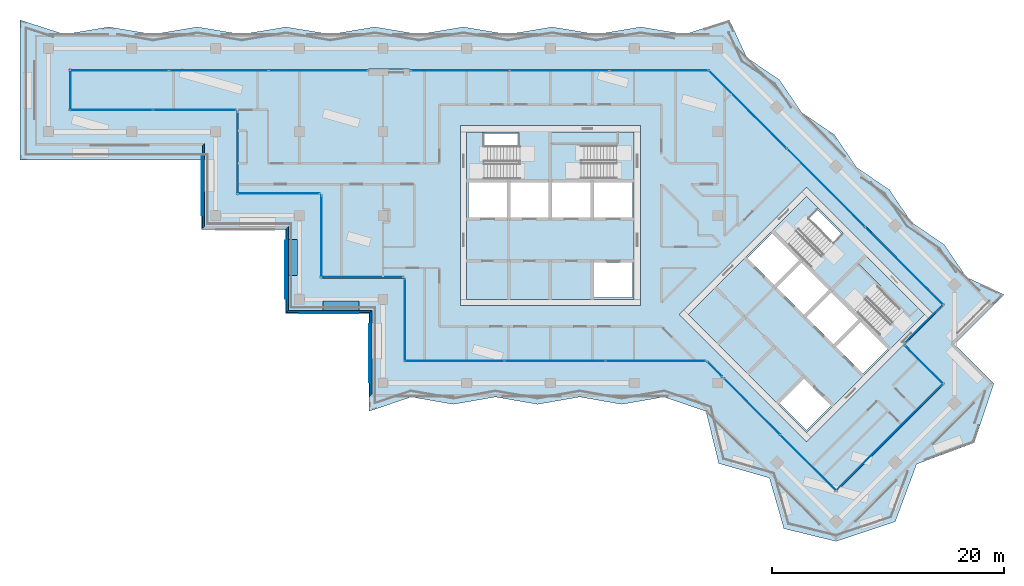
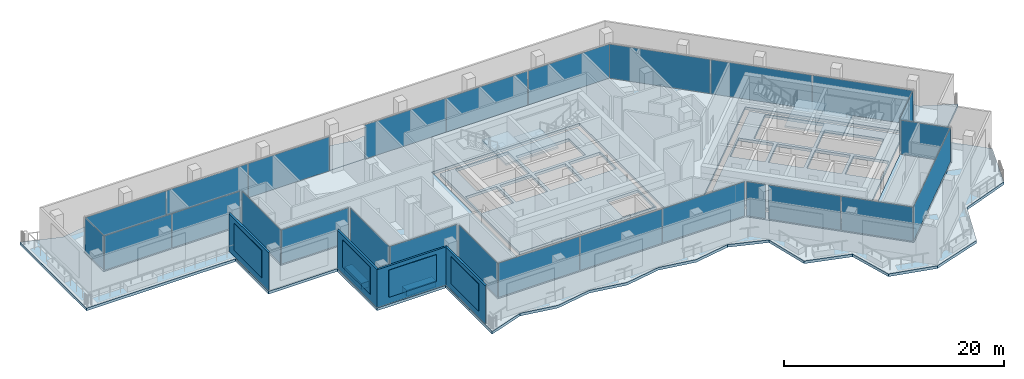
# One storey, part 8 of 19: 30 plates, 8 slabs, 6 walls, 16 openings, 20 elements without a shape of their own.
"""IFC4 building model written with IfcOpenShell, lengths in metres."""

from ifc_helpers import new_model, si_unit, direction, frame, frame_2d, origin, origin_2d, place, context, subcontext, project, spatial, polyline, rectangle, outline, extrude, material, layer, layer_set, type_object, element, aggregate, save


model = new_model("IFC4")

# Units and contexts
model_context = context("Model", 3, precision=1e-05, world=origin(), true_north=direction((0.0, 1.0)))
body_context = subcontext(model_context, "Body", "Model", "MODEL_VIEW")
ifc_project = project(units=[si_unit("LENGTHUNIT", "METRE"), si_unit("AREAUNIT", "SQUARE_METRE"), si_unit("VOLUMEUNIT", "CUBIC_METRE"), si_unit("PLANEANGLEUNIT", "RADIAN"), si_unit("MASSUNIT", "GRAM", prefix="KILO")], contexts=[model_context])

# Plate
ifc_material_1 = material(Name="Aluminium louvre", Category="aluminium")
ifc_layer_1 = layer(ifc_material_1, 0.05)
ifc_layer_set_1 = layer_set([ifc_layer_1], Name="Belt louvre panel 5000x3000")
plate_type_1 = type_object("IfcPlateType", Name="Belt louvre panel 5000x3000", PredefinedType="SHEET", material=ifc_layer_set_1)
site_placement = place(None, origin())
building_placement = place(site_placement, origin())
storey_placement = place(building_placement, frame((0.0, 0.0, 176.2)))
plate_1_placement = place(storey_placement, frame((34.8, 62.65, 0.75), z_axis=(-1.0, 0.0, 0.0), x_axis=(0.0, -1.0, 0.0)))
plate_1 = element("IfcPlate", 1, at=plate_1_placement, type_object=plate_type_1, Name="Belt louvre panel L48 41.1", PredefinedType="SHEET", context=body_context, shape_type="SweptSolid", body=[
    extrude(outline(polyline([(0.0, 0.0), (5.0, 0.0), (5.0, 3.0), (0.0, 3.0), (0.0, 0.0)])), origin(), (0.0, 0.0, -1.0), 0.05),
])

plate_2_placement = place(storey_placement, frame((42.0, 55.45, 0.75), z_axis=(-1.0, 0.0, 0.0), x_axis=(0.0, -1.0, 0.0)))
plate_2 = element("IfcPlate", 2, at=plate_2_placement, type_object=plate_type_1, Name="Belt louvre panel L48 49.1", PredefinedType="SHEET", context=body_context, shape_type="SweptSolid", body=[
    extrude(outline(polyline([(0.0, 0.0), (5.0, 0.0), (5.0, 3.0), (0.0, 3.0), (0.0, 0.0)])), origin(), (0.0, 0.0, -1.0), 0.05),
])

plate_3_placement = place(storey_placement, frame((43.25, 49.2, 0.75), z_axis=(0.0, -1.0, 0.0), x_axis=(1.0, 0.0, 0.0)))
plate_3 = element("IfcPlate", 3, at=plate_3_placement, type_object=plate_type_1, Name="Belt louvre panel L48 53.1", PredefinedType="SHEET", context=body_context, shape_type="SweptSolid", body=[
    extrude(outline(polyline([(0.0, 0.0), (5.0, 0.0), (5.0, 3.0), (0.0, 3.0), (0.0, 0.0)])), origin(), (0.0, 0.0, -1.0), 0.05),
])

plate_4_placement = place(storey_placement, frame((49.2, 48.25, 0.75), z_axis=(-1.0, 0.0, 0.0), x_axis=(0.0, -1.0, 0.0)))
plate_4 = element("IfcPlate", 4, at=plate_4_placement, type_object=plate_type_1, Name="Belt louvre panel L48 57.1", PredefinedType="SHEET", context=body_context, shape_type="SweptSolid", body=[
    extrude(outline(polyline([(0.0, 0.0), (5.0, 0.0), (5.0, 3.0), (0.0, 3.0), (0.0, 0.0)])), origin(), (0.0, 0.0, -1.0), 0.05),
])

# Site, building, storey
site = spatial("IfcSite", under=ifc_project, at=site_placement, CompositionType="ELEMENT")
building = spatial("IfcBuilding", under=site, at=building_placement, Name="Windrow Commons", CompositionType="ELEMENT")
storey = spatial("IfcBuildingStorey", under=building, at=storey_placement, Name="L48", CompositionType="ELEMENT", Elevation=176.2)

# Slab, openings
ifc_material_2 = material(Name="Concrete C50/60", Category="concrete")
ifc_layer_2 = layer(ifc_material_2, 0.3)
ifc_layer_set_2 = layer_set([ifc_layer_2], Name="CORE FLOOR SLAB 300 C50/60")
slab_type_1 = type_object("IfcSlabType", Name="CORE FLOOR SLAB 300 C50/60", PredefinedType="FLOOR", material=ifc_layer_set_2)
placement_1 = place(storey_placement, frame((0.0, 0.0, -0.3)))
slab_1 = element("IfcSlab", 5, at=placement_1, inside=storey, type_object=slab_type_1, Name="S-L48-core-A", PredefinedType="FLOOR", context=body_context, shape_type="SweptSolid", body=[
    extrude(outline(polyline([(57.6, 50.4), (72.0, 50.4), (72.0, 64.8), (57.6, 64.8), (57.6, 50.4)]), holes=[polyline([(68.55, 50.55), (71.85, 50.55), (71.85, 53.55), (68.55, 53.55), (68.55, 50.55)]), polyline([(57.75, 57.45), (61.05, 57.45), (61.05, 60.45), (57.75, 60.45), (57.75, 57.45)]), polyline([(61.35, 57.45), (64.65, 57.45), (64.65, 60.45), (61.35, 60.45), (61.35, 57.45)]), polyline([(64.95, 57.45), (68.25, 57.45), (68.25, 60.45), (64.95, 60.45), (64.95, 57.45)]), polyline([(68.55, 57.45), (71.85, 57.45), (71.85, 60.45), (68.55, 60.45), (68.55, 57.45)]), polyline([(59.1, 60.75), (64.65, 60.75), (64.65, 64.65), (59.1, 64.65), (59.1, 60.75)]), polyline([(64.95, 60.75), (70.5, 60.75), (70.5, 63.705), (64.95, 63.705), (64.95, 60.75)])]), origin(), (0.0, 0.0, 1.0), 0.3),
])
opening_1_placement = place(placement_1, origin())
element("IfcOpeningElement", 6, at=opening_1_placement, cuts=slab_1, Name="Slab opening S-L48-core-A 1", PredefinedType="OPENING", context=body_context, shape_type="SweptSolid", body=[
    extrude(outline(polyline([(68.555, 50.555), (68.555, 53.545), (71.845, 53.545), (71.845, 50.555), (68.555, 50.555)])), origin(), (0.0, 0.0, 1.0), 0.3),
])
opening_2_placement = place(placement_1, origin())
element("IfcOpeningElement", 7, at=opening_2_placement, cuts=slab_1, Name="Slab opening S-L48-core-A 2", PredefinedType="OPENING", context=body_context, shape_type="SweptSolid", body=[
    extrude(outline(polyline([(57.755, 57.455), (57.755, 60.445), (61.045, 60.445), (61.045, 57.455), (57.755, 57.455)])), origin(), (0.0, 0.0, 1.0), 0.3),
])
opening_3_placement = place(placement_1, origin())
element("IfcOpeningElement", 8, at=opening_3_placement, cuts=slab_1, Name="Slab opening S-L48-core-A 3", PredefinedType="OPENING", context=body_context, shape_type="SweptSolid", body=[
    extrude(outline(polyline([(61.355, 57.455), (61.355, 60.445), (64.645, 60.445), (64.645, 57.455), (61.355, 57.455)])), origin(), (0.0, 0.0, 1.0), 0.3),
])
opening_4_placement = place(placement_1, origin())
element("IfcOpeningElement", 9, at=opening_4_placement, cuts=slab_1, Name="Slab opening S-L48-core-A 4", PredefinedType="OPENING", context=body_context, shape_type="SweptSolid", body=[
    extrude(outline(polyline([(64.955, 57.455), (64.955, 60.445), (68.245, 60.445), (68.245, 57.455), (64.955, 57.455)])), origin(), (0.0, 0.0, 1.0), 0.3),
])
opening_5_placement = place(placement_1, origin())
element("IfcOpeningElement", 10, at=opening_5_placement, cuts=slab_1, Name="Slab opening S-L48-core-A 5", PredefinedType="OPENING", context=body_context, shape_type="SweptSolid", body=[
    extrude(outline(polyline([(68.555, 57.455), (68.555, 60.445), (71.845, 60.445), (71.845, 57.455), (68.555, 57.455)])), origin(), (0.0, 0.0, 1.0), 0.3),
])
opening_6_placement = place(placement_1, origin())
element("IfcOpeningElement", 11, at=opening_6_placement, cuts=slab_1, Name="Slab opening S-L48-core-A 6", PredefinedType="OPENING", context=body_context, shape_type="SweptSolid", body=[
    extrude(outline(polyline([(59.105, 60.755), (59.105, 64.645), (64.645, 64.645), (64.645, 60.755), (59.105, 60.755)])), origin(), (0.0, 0.0, 1.0), 0.3),
])
opening_7_placement = place(placement_1, origin())
element("IfcOpeningElement", 12, at=opening_7_placement, cuts=slab_1, Name="Slab opening S-L48-core-A 7", PredefinedType="OPENING", context=body_context, shape_type="SweptSolid", body=[
    extrude(outline(polyline([(64.955, 60.755), (64.955, 63.7), (70.495, 63.7), (70.495, 60.755), (64.955, 60.755)])), origin(), (0.0, 0.0, 1.0), 0.3),
])

slab_2 = element("IfcSlab", 13, at=placement_1, inside=storey, type_object=slab_type_1, Name="S-L48-core-B", PredefinedType="FLOOR", context=body_context, shape_type="SweptSolid", body=[
    extrude(outline(polyline([(76.6544, 49.0897), (86.8368, 38.9074), (97.0191, 49.0897), (86.8368, 59.2721), (76.6544, 49.0897)]), holes=[polyline([(84.5033, 41.453), (86.8368, 39.1195), (88.9581, 41.2409), (86.6246, 43.5743), (84.5033, 41.453)]), polyline([(81.7456, 53.9688), (84.079, 51.6353), (86.2004, 53.7566), (83.8669, 56.0901), (81.7456, 53.9688)]), polyline([(84.2912, 51.4232), (86.6246, 49.0897), (88.7459, 51.2111), (86.4125, 53.5445), (84.2912, 51.4232)]), polyline([(86.8368, 48.8776), (89.1702, 46.5442), (91.2915, 48.6655), (88.9581, 50.9989), (86.8368, 48.8776)]), polyline([(89.3823, 46.332), (91.7158, 43.9986), (93.8371, 46.1199), (91.5037, 48.4533), (89.3823, 46.332)]), polyline([(85.0336, 55.3476), (88.9581, 51.4232), (91.7158, 54.1809), (87.7913, 58.1054), (85.0336, 55.3476)]), polyline([(89.1702, 51.2111), (93.0946, 47.2866), (95.1841, 49.3761), (91.2597, 53.3006), (89.1702, 51.2111)])]), origin(), (0.0, 0.0, 1.0), 0.3),
])
opening_8_placement = place(placement_1, origin())
element("IfcOpeningElement", 14, at=opening_8_placement, cuts=slab_2, Name="Slab opening S-L48-core-B 1", PredefinedType="OPENING", context=body_context, shape_type="SweptSolid", body=[
    extrude(outline(polyline([(84.5104, 41.453), (86.6246, 43.5672), (88.951, 41.2409), (86.8368, 39.1266), (84.5104, 41.453)])), origin(), (0.0, 0.0, 1.0), 0.3),
])
opening_9_placement = place(placement_1, origin())
element("IfcOpeningElement", 15, at=opening_9_placement, cuts=slab_2, Name="Slab opening S-L48-core-B 2", PredefinedType="OPENING", context=body_context, shape_type="SweptSolid", body=[
    extrude(outline(polyline([(81.7527, 53.9688), (83.8669, 56.083), (86.1933, 53.7566), (84.079, 51.6424), (81.7527, 53.9688)])), origin(), (0.0, 0.0, 1.0), 0.3),
])
opening_10_placement = place(placement_1, origin())
element("IfcOpeningElement", 16, at=opening_10_placement, cuts=slab_2, Name="Slab opening S-L48-core-B 3", PredefinedType="OPENING", context=body_context, shape_type="SweptSolid", body=[
    extrude(outline(polyline([(84.2983, 51.4232), (86.4125, 53.5374), (88.7388, 51.2111), (86.6246, 49.0968), (84.2983, 51.4232)])), origin(), (0.0, 0.0, 1.0), 0.3),
])
opening_11_placement = place(placement_1, origin())
element("IfcOpeningElement", 17, at=opening_11_placement, cuts=slab_2, Name="Slab opening S-L48-core-B 4", PredefinedType="OPENING", context=body_context, shape_type="SweptSolid", body=[
    extrude(outline(polyline([(86.8439, 48.8776), (88.9581, 50.9918), (91.2844, 48.6655), (89.1702, 46.5513), (86.8439, 48.8776)])), origin(), (0.0, 0.0, 1.0), 0.3),
])
opening_12_placement = place(placement_1, origin())
element("IfcOpeningElement", 18, at=opening_12_placement, cuts=slab_2, Name="Slab opening S-L48-core-B 5", PredefinedType="OPENING", context=body_context, shape_type="SweptSolid", body=[
    extrude(outline(polyline([(89.3894, 46.332), (91.5037, 48.4462), (93.83, 46.1199), (91.7158, 44.0057), (89.3894, 46.332)])), origin(), (0.0, 0.0, 1.0), 0.3),
])
opening_13_placement = place(placement_1, origin())
element("IfcOpeningElement", 19, at=opening_13_placement, cuts=slab_2, Name="Slab opening S-L48-core-B 6", PredefinedType="OPENING", context=body_context, shape_type="SweptSolid", body=[
    extrude(outline(polyline([(85.0407, 55.3476), (87.7913, 58.0983), (91.7087, 54.1809), (88.9581, 51.4303), (85.0407, 55.3476)])), origin(), (0.0, 0.0, 1.0), 0.3),
])
opening_14_placement = place(placement_1, origin())
element("IfcOpeningElement", 20, at=opening_14_placement, cuts=slab_2, Name="Slab opening S-L48-core-B 7", PredefinedType="OPENING", context=body_context, shape_type="SweptSolid", body=[
    extrude(outline(polyline([(89.1773, 51.2111), (91.2597, 53.2935), (95.177, 49.3761), (93.0946, 47.2937), (89.1773, 51.2111)])), origin(), (0.0, 0.0, 1.0), 0.3),
])

# Curtain wall, plate
ifc_material_3 = material(Name="Clear laminated glass in Aluminium 6063-T6 anodised frame", Category="aluminium")
curtain_wall_type = type_object("IfcCurtainWallType", Name="Curtain wall CW2H sky lounge upper", PredefinedType="USERDEFINED", material=ifc_material_3)
placement_2 = place(storey_placement, origin())
curtain_wall_1 = element("IfcCurtainWall", 21, at=placement_2, inside=storey, type_object=curtain_wall_type, Name="Curtain wall CW2H L48 1", ObjectType="UNITISED", PredefinedType="USERDEFINED")
ifc_material_4 = material(Name="Clear laminated glass", Category="glass")
ifc_layer_3 = layer(ifc_material_4, 0.032)
ifc_layer_set_3 = layer_set([ifc_layer_3], Name="CW2H panel glass 32")
plate_type_2 = type_object("IfcPlateType", Name="CW2H panel glass 32", PredefinedType="CURTAIN_PANEL", material=ifc_layer_set_3)
plate_5_placement = place(storey_placement, frame((96.9483, 44.7764, 0.06), z_axis=(0.0, 0.0, 1.0), x_axis=(-0.7070963646, 0.7071171977, 0.0)))
plate_5 = element("IfcPlate", 22, at=plate_5_placement, type_object=plate_type_2, Name="CW2H panel 1.1", PredefinedType="CURTAIN_PANEL", context=body_context, shape_type="SweptSolid", body=[
    extrude(rectangle(XDim=4.6801, YDim=0.032, at=origin_2d()), origin(), (0.0, 0.0, 1.0), 3.78),
])
aggregate(curtain_wall_1, [plate_5])

curtain_wall_2 = element("IfcCurtainWall", 23, at=placement_2, inside=storey, type_object=curtain_wall_type, Name="Curtain wall CW2H L48 2", ObjectType="UNITISED", PredefinedType="USERDEFINED")
plate_6_placement = place(storey_placement, frame((96.9483, 48.312, 0.06), z_axis=(0.0, 0.0, 1.0), x_axis=(0.7071067812, 0.7071067812, 0.0)))
plate_6 = element("IfcPlate", 24, at=plate_6_placement, type_object=plate_type_2, Name="CW2H panel 1.1", PredefinedType="CURTAIN_PANEL", context=body_context, shape_type="SweptSolid", body=[
    extrude(rectangle(XDim=4.68, YDim=0.032, at=origin_2d()), origin(), (0.0, 0.0, 1.0), 3.78),
])
aggregate(curtain_wall_2, [plate_6])

# Curtain wall, plates
curtain_wall_3 = element("IfcCurtainWall", 25, at=placement_2, inside=storey, type_object=curtain_wall_type, Name="Curtain wall CW2H L48 3", ObjectType="UNITISED", PredefinedType="USERDEFINED")
plate_7_placement = place(storey_placement, frame((95.2578, 53.2551, 0.06), z_axis=(0.0, 0.0, 1.0), x_axis=(-0.7071067812, 0.7071067812, 0.0)))
plate_7 = element("IfcPlate", 26, at=plate_7_placement, type_object=plate_type_2, Name="CW2H panel 1.1", PredefinedType="CURTAIN_PANEL", context=body_context, shape_type="SweptSolid", body=[
    extrude(rectangle(XDim=9.4615, YDim=0.032, at=origin_2d()), origin(), (0.0, 0.0, 1.0), 3.78),
])
plate_8_placement = place(storey_placement, frame((88.5145, 59.9984, 0.06), z_axis=(0.0, 0.0, 1.0), x_axis=(-0.7071067812, 0.7071067812, 0.0)))
plate_8 = element("IfcPlate", 27, at=plate_8_placement, type_object=plate_type_2, Name="CW2H panel 2.1", PredefinedType="CURTAIN_PANEL", context=body_context, shape_type="SweptSolid", body=[
    extrude(rectangle(XDim=9.4915, YDim=0.032, at=origin_2d()), origin(), (0.0, 0.0, 1.0), 3.78),
])
plate_9_placement = place(storey_placement, frame((81.7712, 66.7417, 0.06), z_axis=(0.0, 0.0, 1.0), x_axis=(-0.7071067812, 0.7071067812, 0.0)))
plate_9 = element("IfcPlate", 28, at=plate_9_placement, type_object=plate_type_2, Name="CW2H panel 3.1", PredefinedType="CURTAIN_PANEL", context=body_context, shape_type="SweptSolid", body=[
    extrude(rectangle(XDim=9.4615, YDim=0.032, at=origin_2d()), origin(), (0.0, 0.0, 1.0), 3.78),
])
aggregate(curtain_wall_3, [plate_7, plate_8, plate_9])

curtain_wall_4 = element("IfcCurtainWall", 29, at=placement_2, inside=storey, type_object=curtain_wall_type, Name="Curtain wall CW2H L48 4.1", ObjectType="UNITISED", PredefinedType="USERDEFINED")
plate_10_placement = place(storey_placement, frame((74.1516, 70.1, 0.06), z_axis=(0.0, 0.0, 1.0), x_axis=(-1.0, 0.0, 0.0)))
plate_10 = element("IfcPlate", 30, at=plate_10_placement, type_object=plate_type_2, Name="CW2H panel 1.1", PredefinedType="CURTAIN_PANEL", context=body_context, shape_type="SweptSolid", body=[
    extrude(rectangle(XDim=8.4857, YDim=0.032, at=origin_2d()), origin(), (0.0, 0.0, 1.0), 3.78),
])
plate_11_placement = place(storey_placement, frame((65.5909, 70.1, 0.06), z_axis=(0.0, 0.0, 1.0), x_axis=(-1.0, 0.0, 0.0)))
plate_11 = element("IfcPlate", 31, at=plate_11_placement, type_object=plate_type_2, Name="CW2H panel 2.1", PredefinedType="CURTAIN_PANEL", context=body_context, shape_type="SweptSolid", body=[
    extrude(rectangle(XDim=8.5157, YDim=0.032, at=origin_2d()), origin(), (0.0, 0.0, 1.0), 3.78),
])
plate_12_placement = place(storey_placement, frame((57.0302, 70.1, 0.06), z_axis=(0.0, 0.0, 1.0), x_axis=(-1.0, 0.0, 0.0)))
plate_12 = element("IfcPlate", 32, at=plate_12_placement, type_object=plate_type_2, Name="CW2H panel 3.1", PredefinedType="CURTAIN_PANEL", context=body_context, shape_type="SweptSolid", body=[
    extrude(rectangle(XDim=8.4857, YDim=0.032, at=origin_2d()), origin(), (0.0, 0.0, 1.0), 3.78),
])
aggregate(curtain_wall_4, [plate_10, plate_11, plate_12])

curtain_wall_5 = element("IfcCurtainWall", 33, at=placement_2, inside=storey, type_object=curtain_wall_type, Name="Curtain wall CW2H L48 4.2", ObjectType="UNITISED", PredefinedType="USERDEFINED")
plate_13_placement = place(storey_placement, frame((44.8245, 70.1, 0.06), z_axis=(0.0, 0.0, 1.0), x_axis=(-1.0, 0.0, 0.0)))
plate_13 = element("IfcPlate", 34, at=plate_13_placement, type_object=plate_type_2, Name="CW2H panel 1.1", PredefinedType="CURTAIN_PANEL", context=body_context, shape_type="SweptSolid", body=[
    extrude(rectangle(XDim=8.4858, YDim=0.032, at=origin_2d()), origin(), (0.0, 0.0, 1.0), 3.78),
])
plate_14_placement = place(storey_placement, frame((36.2637, 70.1, 0.06), z_axis=(0.0, 0.0, 1.0), x_axis=(-1.0, 0.0, 0.0)))
plate_14 = element("IfcPlate", 35, at=plate_14_placement, type_object=plate_type_2, Name="CW2H panel 2.1", PredefinedType="CURTAIN_PANEL", context=body_context, shape_type="SweptSolid", body=[
    extrude(rectangle(XDim=8.5158, YDim=0.032, at=origin_2d()), origin(), (0.0, 0.0, 1.0), 3.78),
])
plate_15_placement = place(storey_placement, frame((27.7029, 70.1, 0.06), z_axis=(0.0, 0.0, 1.0), x_axis=(-1.0, 0.0, 0.0)))
plate_15 = element("IfcPlate", 36, at=plate_15_placement, type_object=plate_type_2, Name="CW2H panel 3.1", PredefinedType="CURTAIN_PANEL", context=body_context, shape_type="SweptSolid", body=[
    extrude(rectangle(XDim=8.4858, YDim=0.032, at=origin_2d()), origin(), (0.0, 0.0, 1.0), 3.78),
])
aggregate(curtain_wall_5, [plate_13, plate_14, plate_15])

# Curtain wall, plate
curtain_wall_6 = element("IfcCurtainWall", 37, at=placement_2, inside=storey, type_object=curtain_wall_type, Name="Curtain wall CW2H L48 5", ObjectType="UNITISED", PredefinedType="USERDEFINED")
plate_16_placement = place(storey_placement, frame((23.5, 68.4, 0.06), z_axis=(0.0, 0.0, 1.0), x_axis=(0.0, -1.0, 0.0)))
plate_16 = element("IfcPlate", 38, at=plate_16_placement, type_object=plate_type_2, Name="CW2H panel 1.1", PredefinedType="CURTAIN_PANEL", context=body_context, shape_type="SweptSolid", body=[
    extrude(rectangle(XDim=3.48, YDim=0.032, at=origin_2d()), origin(), (0.0, 0.0, 1.0), 3.78),
])
aggregate(curtain_wall_6, [plate_16])

# Curtain wall, plates
curtain_wall_7 = element("IfcCurtainWall", 39, at=placement_2, inside=storey, type_object=curtain_wall_type, Name="Curtain wall CW2H L48 6", ObjectType="UNITISED", PredefinedType="USERDEFINED")
plate_17_placement = place(storey_placement, frame((27.015, 66.7, 0.06), z_axis=(0.0, 0.0, 1.0), x_axis=(1.0, 0.0, 0.0)))
plate_17 = element("IfcPlate", 40, at=plate_17_placement, type_object=plate_type_2, Name="CW2H panel 1.1", PredefinedType="CURTAIN_PANEL", context=body_context, shape_type="SweptSolid", body=[
    extrude(rectangle(XDim=7.11, YDim=0.032, at=origin_2d()), origin(), (0.0, 0.0, 1.0), 3.78),
])
plate_18_placement = place(storey_placement, frame((34.185, 66.7, 0.06), z_axis=(0.0, 0.0, 1.0), x_axis=(1.0, 0.0, 0.0)))
plate_18 = element("IfcPlate", 41, at=plate_18_placement, type_object=plate_type_2, Name="CW2H panel 2.1", PredefinedType="CURTAIN_PANEL", context=body_context, shape_type="SweptSolid", body=[
    extrude(rectangle(XDim=7.11, YDim=0.032, at=origin_2d()), origin(), (0.0, 0.0, 1.0), 3.78),
])
aggregate(curtain_wall_7, [plate_17, plate_18])

# Curtain wall, plate
curtain_wall_8 = element("IfcCurtainWall", 42, at=placement_2, inside=storey, type_object=curtain_wall_type, Name="Curtain wall CW2H L48 7", ObjectType="UNITISED", PredefinedType="USERDEFINED")
plate_19_placement = place(storey_placement, frame((37.9, 63.0, 0.06), z_axis=(0.0, 0.0, 1.0), x_axis=(0.0, -1.0, 0.0)))
plate_19 = element("IfcPlate", 43, at=plate_19_placement, type_object=plate_type_2, Name="CW2H panel 1.1", PredefinedType="CURTAIN_PANEL", context=body_context, shape_type="SweptSolid", body=[
    extrude(rectangle(XDim=7.08, YDim=0.032, at=origin_2d()), origin(), (0.0, 0.0, 1.0), 3.78),
])
aggregate(curtain_wall_8, [plate_19])

curtain_wall_9 = element("IfcCurtainWall", 44, at=placement_2, inside=storey, type_object=curtain_wall_type, Name="Curtain wall CW2H L48 8", ObjectType="UNITISED", PredefinedType="USERDEFINED")
plate_20_placement = place(storey_placement, frame((41.4, 59.5, 0.06), z_axis=(0.0, 0.0, 1.0), x_axis=(1.0, 0.0, 0.0)))
plate_20 = element("IfcPlate", 45, at=plate_20_placement, type_object=plate_type_2, Name="CW2H panel 1.1", PredefinedType="CURTAIN_PANEL", context=body_context, shape_type="SweptSolid", body=[
    extrude(rectangle(XDim=7.08, YDim=0.032, at=origin_2d()), origin(), (0.0, 0.0, 1.0), 3.78),
])
aggregate(curtain_wall_9, [plate_20])

curtain_wall_10 = element("IfcCurtainWall", 46, at=placement_2, inside=storey, type_object=curtain_wall_type, Name="Curtain wall CW2H L48 9", ObjectType="UNITISED", PredefinedType="USERDEFINED")
plate_21_placement = place(storey_placement, frame((45.1, 55.8, 0.06), z_axis=(0.0, 0.0, 1.0), x_axis=(0.0, -1.0, 0.0)))
plate_21 = element("IfcPlate", 47, at=plate_21_placement, type_object=plate_type_2, Name="CW2H panel 1.1", PredefinedType="CURTAIN_PANEL", context=body_context, shape_type="SweptSolid", body=[
    extrude(rectangle(XDim=7.08, YDim=0.032, at=origin_2d()), origin(), (0.0, 0.0, 1.0), 3.78),
])
aggregate(curtain_wall_10, [plate_21])

curtain_wall_11 = element("IfcCurtainWall", 48, at=placement_2, inside=storey, type_object=curtain_wall_type, Name="Curtain wall CW2H L48 10", ObjectType="UNITISED", PredefinedType="USERDEFINED")
plate_22_placement = place(storey_placement, frame((48.6, 52.3, 0.06), z_axis=(0.0, 0.0, 1.0), x_axis=(1.0, 0.0, 0.0)))
plate_22 = element("IfcPlate", 49, at=plate_22_placement, type_object=plate_type_2, Name="CW2H panel 1.1", PredefinedType="CURTAIN_PANEL", context=body_context, shape_type="SweptSolid", body=[
    extrude(rectangle(XDim=7.08, YDim=0.032, at=origin_2d()), origin(), (0.0, 0.0, 1.0), 3.78),
])
aggregate(curtain_wall_11, [plate_22])

curtain_wall_12 = element("IfcCurtainWall", 50, at=placement_2, inside=storey, type_object=curtain_wall_type, Name="Curtain wall CW2H L48 11", ObjectType="UNITISED", PredefinedType="USERDEFINED")
plate_23_placement = place(storey_placement, frame((52.3, 48.6, 0.06), z_axis=(0.0, 0.0, 1.0), x_axis=(0.0, -1.0, 0.0)))
plate_23 = element("IfcPlate", 51, at=plate_23_placement, type_object=plate_type_2, Name="CW2H panel 1.1", PredefinedType="CURTAIN_PANEL", context=body_context, shape_type="SweptSolid", body=[
    extrude(rectangle(XDim=7.08, YDim=0.032, at=origin_2d()), origin(), (0.0, 0.0, 1.0), 3.78),
])
aggregate(curtain_wall_12, [plate_23])

# Curtain wall, plates
curtain_wall_13 = element("IfcCurtainWall", 52, at=placement_2, inside=storey, type_object=curtain_wall_type, Name="Curtain wall CW2H L48 12", ObjectType="UNITISED", PredefinedType="USERDEFINED")
plate_24_placement = place(storey_placement, frame((56.5481, 45.1, 0.06), z_axis=(0.0, 0.0, 1.0), x_axis=(1.0, 0.0, 0.0)))
plate_24 = element("IfcPlate", 53, at=plate_24_placement, type_object=plate_type_2, Name="CW2H panel 1.1", PredefinedType="CURTAIN_PANEL", context=body_context, shape_type="SweptSolid", body=[
    extrude(rectangle(XDim=8.5762, YDim=0.032, at=origin_2d()), origin(), (0.0, 0.0, 1.0), 3.78),
])
plate_25_placement = place(storey_placement, frame((65.1993, 45.1, 0.06), z_axis=(0.0, 0.0, 1.0), x_axis=(1.0, 0.0, 0.0)))
plate_25 = element("IfcPlate", 54, at=plate_25_placement, type_object=plate_type_2, Name="CW2H panel 2.1", PredefinedType="CURTAIN_PANEL", context=body_context, shape_type="SweptSolid", body=[
    extrude(rectangle(XDim=8.6062, YDim=0.032, at=origin_2d()), origin(), (0.0, 0.0, 1.0), 3.78),
])
plate_26_placement = place(storey_placement, frame((73.8505, 45.1, 0.06), z_axis=(0.0, 0.0, 1.0), x_axis=(1.0, 0.0, 0.0)))
plate_26 = element("IfcPlate", 55, at=plate_26_placement, type_object=plate_type_2, Name="CW2H panel 3.1", PredefinedType="CURTAIN_PANEL", context=body_context, shape_type="SweptSolid", body=[
    extrude(rectangle(XDim=8.5762, YDim=0.032, at=origin_2d()), origin(), (0.0, 0.0, 1.0), 3.78),
])
aggregate(curtain_wall_13, [plate_24, plate_25, plate_26])

# Curtain wall, plate
curtain_wall_14 = element("IfcCurtainWall", 56, at=placement_2, inside=storey, type_object=curtain_wall_type, Name="Curtain wall CW2H L48 13", ObjectType="UNITISED", PredefinedType="USERDEFINED")
plate_27_placement = place(storey_placement, frame((78.9436, 44.3964, 0.06), z_axis=(0.0, 0.0, 1.0), x_axis=(0.70710362, -0.7071099424, 0.0)))
plate_27 = element("IfcPlate", 57, at=plate_27_placement, type_object=plate_type_2, Name="CW2H panel 1.1", PredefinedType="CURTAIN_PANEL", context=body_context, shape_type="SweptSolid", body=[
    extrude(rectangle(XDim=1.7872, YDim=0.032, at=origin_2d()), origin(), (0.0, 0.0, 1.0), 3.78),
])
aggregate(curtain_wall_14, [plate_27])

# Curtain wall, plates
curtain_wall_15 = element("IfcCurtainWall", 58, at=placement_2, inside=storey, type_object=curtain_wall_type, Name="Curtain wall CW2H L48 13.2", ObjectType="UNITISED", PredefinedType="USERDEFINED")
plate_28_placement = place(storey_placement, frame((82.1655, 41.1745, 0.06), z_axis=(0.0, 0.0, 1.0), x_axis=(0.7071036198, -0.7071099425, 0.0)))
plate_28 = element("IfcPlate", 59, at=plate_28_placement, type_object=plate_type_2, Name="CW2H panel 1.1", PredefinedType="CURTAIN_PANEL", context=body_context, shape_type="SweptSolid", body=[
    extrude(rectangle(XDim=6.7908, YDim=0.032, at=origin_2d()), origin(), (0.0, 0.0, 1.0), 3.78),
])
plate_29_placement = place(storey_placement, frame((87.0097, 36.3303, 0.06), z_axis=(0.0, 0.0, 1.0), x_axis=(0.7071036198, -0.7071099425, 0.0)))
plate_29 = element("IfcPlate", 60, at=plate_29_placement, type_object=plate_type_2, Name="CW2H panel 2.1", PredefinedType="CURTAIN_PANEL", context=body_context, shape_type="SweptSolid", body=[
    extrude(rectangle(XDim=6.7908, YDim=0.032, at=origin_2d()), origin(), (0.0, 0.0, 1.0), 3.78),
])
aggregate(curtain_wall_15, [plate_28, plate_29])

# Curtain wall, plate
curtain_wall_16 = element("IfcCurtainWall", 61, at=placement_2, inside=storey, type_object=curtain_wall_type, Name="Curtain wall CW2H L48 14", ObjectType="UNITISED", PredefinedType="USERDEFINED")
plate_30_placement = place(storey_placement, frame((93.9785, 38.5538, 0.06), z_axis=(0.0, 0.0, 1.0), x_axis=(0.7071067812, 0.7071067812, 0.0)))
plate_30 = element("IfcPlate", 62, at=plate_30_placement, type_object=plate_type_2, Name="CW2H panel 1.1", PredefinedType="CURTAIN_PANEL", context=body_context, shape_type="SweptSolid", body=[
    extrude(rectangle(XDim=13.08, YDim=0.032, at=origin_2d()), origin(), (0.0, 0.0, 1.0), 3.78),
])
aggregate(curtain_wall_16, [plate_30])

# Stair, slab
ifc_material_5 = material(Name="Concrete C40/50", Category="concrete")
stair_type = type_object("IfcStairType", Name="Core stair", PredefinedType="HALF_TURN_STAIR", material=ifc_material_5)
stair_1 = element("IfcStair", 63, at=placement_2, inside=storey, type_object=stair_type, Name="L48 Exit stair A1 core A", PredefinedType="HALF_TURN_STAIR")
ifc_material_6 = material(Name="Concrete C40/50", Category="concrete")
ifc_layer_4 = layer(ifc_material_6, 0.2)
ifc_layer_set_4 = layer_set([ifc_layer_4], Name="Core stair landing")
slab_type_2 = type_object("IfcSlabType", Name="Core stair landing", PredefinedType="LANDING", material=ifc_layer_set_4)
placement_3 = place(storey_placement, frame((0.0, 0.0, 1.9)))
slab_3 = element("IfcSlab", 64, at=placement_3, type_object=slab_type_2, Name="ST-A1 landing 1", PredefinedType="LANDING", context=body_context, shape_type="SweptSolid", body=[
    extrude(outline(polyline([(62.06, 60.5), (64.8, 60.5), (64.8, 64.9), (62.06, 64.9), (62.06, 60.5)])), origin(), (0.0, 0.0, 1.0), 0.2),
])
aggregate(stair_1, [slab_3])

stair_2 = element("IfcStair", 65, at=placement_2, inside=storey, type_object=stair_type, Name="L48 Exit stair A2 core A", PredefinedType="HALF_TURN_STAIR")
slab_4 = element("IfcSlab", 66, at=placement_3, type_object=slab_type_2, Name="ST-A2 landing 1", PredefinedType="LANDING", context=body_context, shape_type="SweptSolid", body=[
    extrude(outline(polyline([(64.8, 60.5), (67.54, 60.5), (67.54, 63.855), (64.8, 63.855), (64.8, 60.5)])), origin(), (0.0, 0.0, 1.0), 0.2),
])
aggregate(stair_2, [slab_4])

stair_3 = element("IfcStair", 67, at=placement_2, inside=storey, type_object=stair_type, Name="L48 Exit stair B1 core B", PredefinedType="HALF_TURN_STAIR")
slab_5 = element("IfcSlab", 68, at=placement_3, type_object=slab_type_2, Name="ST-B1 landing 1", PredefinedType="LANDING", context=body_context, shape_type="SweptSolid", body=[
    extrude(outline(polyline([(86.9499, 53.0778), (88.8874, 51.1403), (91.9986, 54.2516), (90.0612, 56.1891), (86.9499, 53.0778)])), origin(), (0.0, 0.0, 1.0), 0.2),
])
aggregate(stair_3, [slab_5])

stair_4 = element("IfcStair", 69, at=placement_2, inside=storey, type_object=stair_type, Name="L48 Exit stair B2 core B", PredefinedType="HALF_TURN_STAIR")
slab_6 = element("IfcSlab", 70, at=placement_3, type_object=slab_type_2, Name="ST-B2 landing 1", PredefinedType="LANDING", context=body_context, shape_type="SweptSolid", body=[
    extrude(outline(polyline([(88.8874, 51.1403), (90.8248, 49.2029), (93.1971, 51.5752), (91.2597, 53.5127), (88.8874, 51.1403)])), origin(), (0.0, 0.0, 1.0), 0.2),
])
aggregate(stair_4, [slab_6])

# Slab, openings
ifc_material_7 = material(Name="Concrete C50/60", Category="concrete")
ifc_layer_5 = layer(ifc_material_7, 0.3)
ifc_layer_set_5 = layer_set([ifc_layer_5], Name="FLOOR SLAB 300 C50/60")
slab_type_3 = type_object("IfcSlabType", Name="FLOOR SLAB 300 C50/60", PredefinedType="FLOOR", material=ifc_layer_set_5)
slab_7 = element("IfcSlab", 71, at=placement_1, inside=storey, type_object=slab_type_3, Name="S-L48-floor", PredefinedType="FLOOR", context=body_context, shape_type="SweptSolid", body=[
    extrude(outline(polyline([(98.7161, 43.15), (95.322, 46.5442), (98.7161, 49.9383), (78.4544, 70.2), (23.4, 70.2), (23.4, 66.6), (37.8, 66.6), (37.8, 59.4), (45.0, 59.4), (45.0, 52.2), (52.2, 52.2), (52.2, 45.0), (78.1986, 45.0), (89.3823, 33.8162), (98.7161, 43.15)]), holes=[polyline([(75.8766, 49.0897), (86.8368, 60.0499), (97.7969, 49.0897), (86.8368, 38.1296), (75.8766, 49.0897)]), polyline([(57.05, 49.85), (57.05, 65.35), (72.55, 65.35), (72.55, 49.85), (57.05, 49.85)])]), origin(), (0.0, 0.0, 1.0), 0.3),
])
opening_15_placement = place(placement_1, origin())
element("IfcOpeningElement", 72, at=opening_15_placement, cuts=slab_7, Name="Slab opening S-L48-floor 1", PredefinedType="OPENING", context=body_context, shape_type="SweptSolid", body=[
    extrude(outline(polyline([(75.8837, 49.0897), (86.8368, 60.0428), (97.7898, 49.0897), (86.8368, 38.1367), (75.8837, 49.0897)])), origin(), (0.0, 0.0, 1.0), 0.3),
])
opening_16_placement = place(placement_1, origin())
element("IfcOpeningElement", 73, at=opening_16_placement, cuts=slab_7, Name="Slab opening S-L48-floor 2", PredefinedType="OPENING", context=body_context, shape_type="SweptSolid", body=[
    extrude(outline(polyline([(57.055, 49.855), (57.055, 65.345), (72.545, 65.345), (72.545, 49.855), (57.055, 49.855)])), origin(), (0.0, 0.0, 1.0), 0.3),
])

# Slab
ifc_material_8 = material(Name="Concrete C50/60", Category="concrete")
ifc_layer_6 = layer(ifc_material_8, 0.3)
ifc_layer_set_6 = layer_set([ifc_layer_6], Name="TERRACE SLAB 300 C50/60")
slab_type_4 = type_object("IfcSlabType", Name="TERRACE SLAB 300 C50/60", PredefinedType="FLOOR", material=ifc_layer_set_6)
element("IfcSlab", 74, at=placement_1, inside=storey, type_object=slab_type_4, Name="Terrace slab TR-L48-1", PredefinedType="FLOOR", context=body_context, shape_type="SweptSolid", body=[
    extrude(outline(polyline([(63.6944, 41.367), (67.3181, 42.0), (70.9417, 41.367), (74.5653, 42.0), (78.1889, 40.767), (79.2902, 36.2716), (83.6442, 35.0289), (84.8869, 30.6749), (89.3823, 29.5736), (94.4735, 31.2706), (96.312, 36.2204), (101.2617, 38.0588), (102.1103, 40.6044), (102.9588, 43.15), (99.5647, 46.5442), (103.8285, 50.808), (100.5963, 52.3008), (98.6793, 55.1088), (95.8713, 57.0258), (93.9543, 59.8338), (91.1463, 61.7508), (89.2293, 64.5588), (86.4213, 66.4758), (84.5043, 69.2837), (81.6963, 71.2008), (80.2036, 74.433), (76.3888, 73.2), (72.574, 73.833), (68.7592, 73.2), (64.9444, 73.833), (61.1297, 73.2), (57.3149, 73.833), (53.5001, 73.2), (49.6853, 73.833), (45.8705, 73.2), (42.0557, 73.833), (38.2409, 73.2), (34.4261, 73.833), (30.6214, 73.2017), (30.6214, 70.2), (78.4544, 70.2), (98.7161, 49.9383), (95.322, 46.5442), (98.7161, 43.15), (89.3823, 33.8162), (78.1986, 45.0), (52.2, 45.0), (52.2, 52.2), (45.0, 52.2), (45.0, 59.4), (37.8, 59.4), (37.8, 66.6), (23.4, 66.6), (23.4, 70.2), (30.6014, 70.2), (30.6014, 73.2017), (26.7966, 73.833), (22.9818, 73.2), (19.167, 74.433), (19.167, 62.367), (34.8, 62.367), (34.8, 56.4), (42.0, 56.4), (42.0, 49.2), (49.2, 49.2), (49.2, 40.767), (52.8236, 42.0), (56.4472, 41.367), (60.0708, 42.0), (63.6944, 41.367)])), origin(), (0.0, 0.0, 1.0), 0.3),
])

# Wall
ifc_material_9 = material(Name="Concrete C40/50 precast screen panel", Category="concrete")
ifc_layer_7 = layer(ifc_material_9, 0.2)
ifc_layer_set_7 = layer_set([ifc_layer_7], Name="Belt screen wall 200")
wall_type_1 = type_object("IfcWallType", Name="Belt screen wall 200", PredefinedType="SOLIDWALL", material=ifc_layer_set_7)
wall_1_placement = place(storey_placement, frame((34.95, 63.75, 0.0), z_axis=(0.0, 0.0, 1.0), x_axis=(0.0, -1.0, 0.0)))
wall_1 = element("IfcWall", 75, at=wall_1_placement, inside=storey, type_object=wall_type_1, Name="Belt screen wall L48 41", PredefinedType="SOLIDWALL", context=body_context, shape_type="SweptSolid", body=[
    extrude(outline(polyline([(0.1, -0.1), (7.3, -0.1), (7.1, 0.1), (-0.1, 0.1), (0.1, -0.1)])), origin(), (0.0, 0.0, 1.0), 4.2),
])

aggregate(wall_1, [plate_1])

wall_2_placement = place(storey_placement, frame((42.15, 56.55, 0.0), z_axis=(0.0, 0.0, 1.0), x_axis=(0.0, -1.0, 0.0)))
wall_2 = element("IfcWall", 76, at=wall_2_placement, inside=storey, type_object=wall_type_1, Name="Belt screen wall L48 49", PredefinedType="SOLIDWALL", context=body_context, shape_type="SweptSolid", body=[
    extrude(outline(polyline([(0.1, -0.1), (7.3, -0.1), (7.1, 0.1), (-0.1, 0.1), (0.1, -0.1)])), origin(), (0.0, 0.0, 1.0), 4.2),
])

aggregate(wall_2, [plate_2])

wall_3_placement = place(storey_placement, frame((42.15, 49.35, 0.0), z_axis=(0.0, 0.0, 1.0), x_axis=(1.0, 0.0, 0.0)))
wall_3 = element("IfcWall", 77, at=wall_3_placement, inside=storey, type_object=wall_type_1, Name="Belt screen wall L48 53", PredefinedType="SOLIDWALL", context=body_context, shape_type="SweptSolid", body=[
    extrude(outline(polyline([(-0.1, -0.1), (7.1, -0.1), (7.3, 0.1), (0.1, 0.1), (-0.1, -0.1)])), origin(), (0.0, 0.0, 1.0), 4.2),
])

aggregate(wall_3, [plate_3])

wall_4_placement = place(storey_placement, frame((49.35, 49.35, 0.0), z_axis=(0.0, 0.0, 1.0), x_axis=(0.0, -1.0, 0.0)))
wall_4 = element("IfcWall", 78, at=wall_4_placement, inside=storey, type_object=wall_type_1, Name="Belt screen wall L48 57", PredefinedType="SOLIDWALL", context=body_context, shape_type="SweptSolid", body=[
    extrude(outline(polyline([(0.1, -0.1), (7.3, -0.1), (7.1, 0.1), (-0.1, 0.1), (0.1, -0.1)])), origin(), (0.0, 0.0, 1.0), 4.2),
])

aggregate(wall_4, [plate_4])

# Walls
ifc_material_10 = material(Name="Concrete C30/37 planter wall", Category="concrete")
ifc_layer_8 = layer(ifc_material_10, 0.8)
ifc_layer_set_8 = layer_set([ifc_layer_8], Name="Planter 800x600")
wall_type_2 = type_object("IfcWallType", Name="Planter 800x600", PredefinedType="SOLIDWALL", material=ifc_layer_set_8)
for number, where, z_axis, x_axis, name in (
    (79, (42.65, 55.55, 0.0), (0.0, 0.0, 1.0), (0.0, -1.0, 0.0), "PLANTER TR-L48-1.37"),
    (80, (45.25, 49.85, 0.0), (0.0, 0.0, 1.0), (1.0, 0.0, 0.0), "PLANTER TR-L48-1.38"),
):
    element("IfcWall", number, at=place(storey_placement, frame(where, z_axis=z_axis, x_axis=x_axis)), inside=storey, type_object=wall_type_2, Name=name, PredefinedType="SOLIDWALL", context=body_context, shape_type="SweptSolid", body=[
        extrude(rectangle(XDim=3.1, YDim=0.8, at=frame_2d((1.55, 0.0))), origin(), (0.0, 0.0, 1.0), 0.65),
    ])

save(model, "model.ifc")
